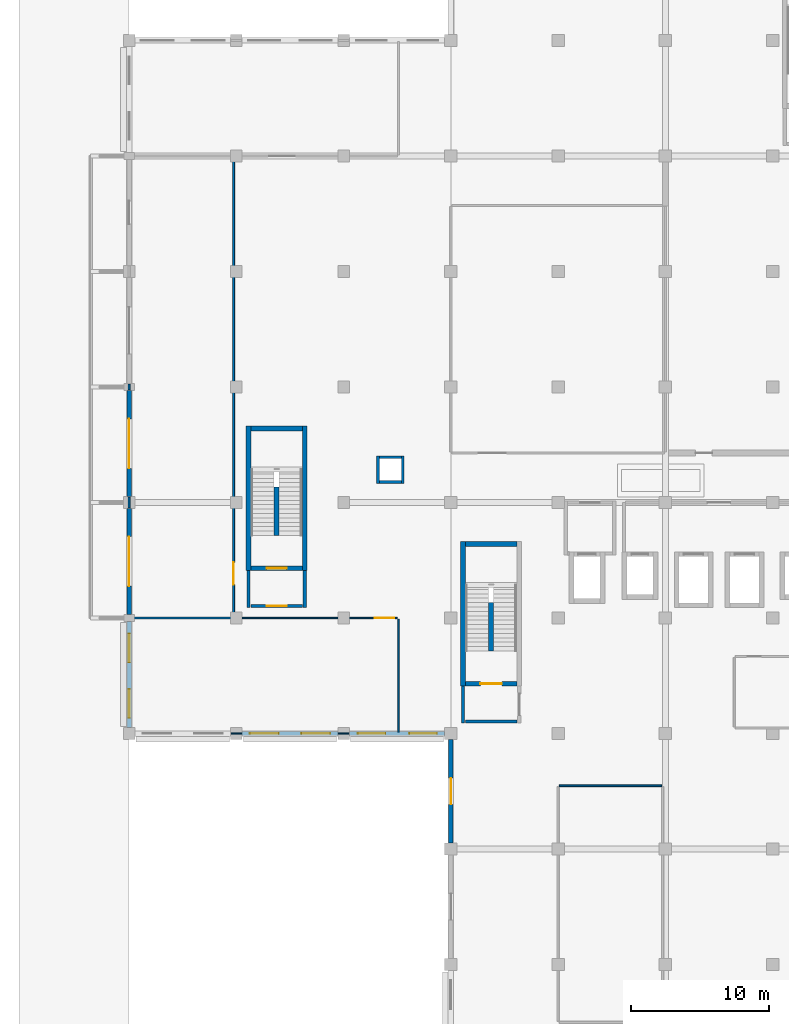
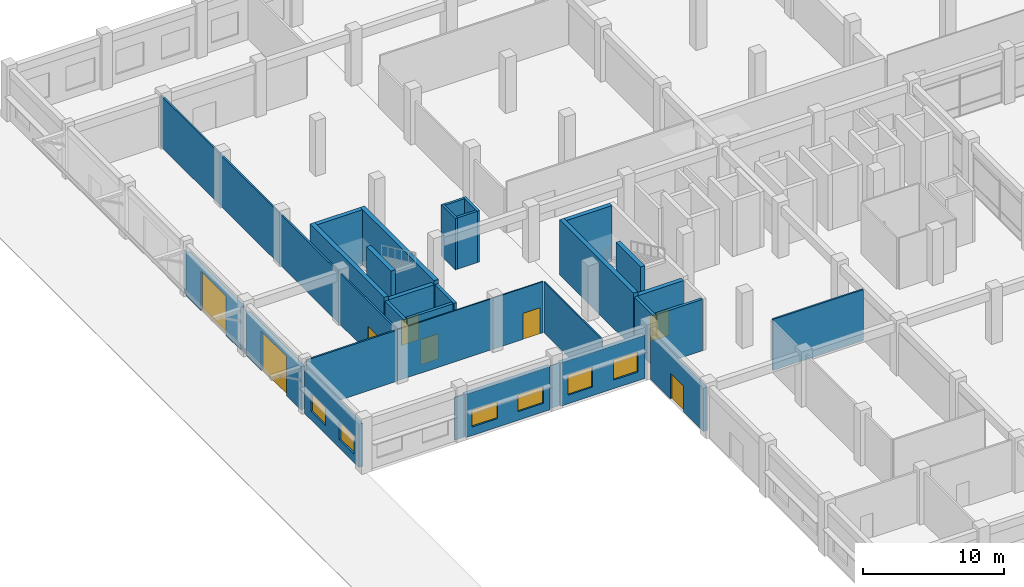
# One storey, part 47 of 74: 33 walls, 8 doors, 6 windows, 14 openings.
"""IFC4 building model written with IfcOpenShell, lengths in metres."""

from ifc_helpers import new_model, si_unit, direction, frame, frame_2d, origin, place, context, subcontext, project, spatial, rectangle, extrude, material, layer, layer_set, type_object, element, fill, save


model = new_model("IFC4")

# Units and contexts
model_context = context("Model", 3, precision=1e-05, world=origin(), true_north=direction((0.0, 1.0)))
body_context = subcontext(model_context, "Body", "Model", "MODEL_VIEW")
ifc_project = project(units=[si_unit("LENGTHUNIT", "METRE"), si_unit("AREAUNIT", "SQUARE_METRE"), si_unit("VOLUMEUNIT", "CUBIC_METRE"), si_unit("PLANEANGLEUNIT", "RADIAN"), si_unit("MASSUNIT", "GRAM", prefix="KILO"), si_unit("THERMODYNAMICTEMPERATUREUNIT", "KELVIN"), si_unit("POWERUNIT", "WATT")], contexts=[model_context])

# Site, building, storey
site_placement = place(None, origin())
site = spatial("IfcSite", under=ifc_project, at=site_placement, CompositionType="ELEMENT")
building_placement = place(site_placement, origin())
building = spatial("IfcBuilding", under=site, at=building_placement, Name="Srebrne Nadtorze General Hospital", CompositionType="ELEMENT")
storey_placement = place(building_placement, origin())
storey = spatial("IfcBuildingStorey", under=building, at=storey_placement, Name="L00", CompositionType="ELEMENT", Elevation=0.0)

# Wall, opening, door
ifc_material_1 = material(Name="Gypsum Healthcare Partition")
ifc_layer_1 = layer(ifc_material_1, 0.139892578125)
ifc_layer_set_1 = layer_set([ifc_layer_1], Name="Gypsum Healthcare Partition")
wall_type_1 = type_object("IfcWallType", Name="Clinical partition 140", PredefinedType="PARTITIONING", material=ifc_layer_set_1)
wall_1_placement = place(storey_placement, frame((7.60009765625, 42.0849609375, 0.0), z_axis=(0.0, 0.0, 1.0), x_axis=(0.0, 1.0, 0.0)))
wall_1 = element("IfcWall", 1, at=wall_1_placement, inside=storey, type_object=wall_type_1, Name="Ambulance Bay wall WL-INT-L00-1299", PredefinedType="PARTITIONING", context=body_context, shape_type="SweptSolid", body=[
    extrude(rectangle(XDim=33.429931640625, YDim=0.139892578125, at=frame_2d((16.71484375, 0.0))), origin(), (0.0, 0.0, 1.0), 4.429931640625),
])
opening_1_placement = place(wall_1_placement, frame((2.335205078125, 0.0, 0.0)))
opening_1 = element("IfcOpeningElement", 2, at=opening_1_placement, cuts=wall_1, Name="Opening D-L00-0191", PredefinedType="OPENING", context=body_context, shape_type="SweptSolid", body=[
    extrude(rectangle(XDim=1.64990234375, YDim=2.25, at=frame_2d((0.824951171875, 1.125))), frame((0.0, 0.08203125, 0.0), z_axis=(0.0, -1.0, 0.0), x_axis=(1.0, 0.0, 0.0)), (0.0, 0.0, 1.0), 0.163818359375),
])
ifc_material_2 = material(Name="Anodised Aluminium", Category="aluminium")
door_type_1 = type_object("IfcDoorType", Name="Double leaf door 1650x2250", OperationType="DOUBLE_DOOR_SINGLE_SWING", PredefinedType="DOOR", material=ifc_material_2)
door_1_placement = place(opening_1_placement, origin())
door_1 = element("IfcDoor", 3, at=door_1_placement, inside=storey, type_object=door_type_1, Name="Ambulance Bay door D-L00-0191", OperationType="DOUBLE_DOOR_SINGLE_SWING", OverallHeight=2.25, OverallWidth=1.64990234375, PredefinedType="DOOR", context=body_context, shape_type="SweptSolid", body=[
    extrude(rectangle(XDim=1.64990234375, YDim=2.25, at=frame_2d((0.824951171875, 1.125))), frame((0.0, 0.02490234375, 0.0), z_axis=(0.0, -1.0, 0.0), x_axis=(1.0, 0.0, 0.0)), (0.0, 0.0, 1.0), 0.050048828125),
])
fill(opening_1, door_1)

# Walls
wall_2_placement = place(storey_placement, frame((0.0849609375, 42.0, 0.0), z_axis=(0.0, 0.0, 1.0), x_axis=(1.0, 0.0, 0.0)))
element("IfcWall", 4, at=wall_2_placement, inside=storey, type_object=wall_type_1, Name="Ambulance Bay wall WL-INT-L00-1300", PredefinedType="PARTITIONING", context=body_context, shape_type="SweptSolid", body=[
    extrude(rectangle(XDim=7.429931640625, YDim=0.139892578125, at=frame_2d((3.71484375, 0.0))), origin(), (0.0, 0.0, 1.0), 4.429931640625),
])
wall_3_placement = place(storey_placement, frame((0.0, 50.014892578125, 0.0), z_axis=(0.0, 0.0, 1.0), x_axis=(0.0, 1.0, 0.0)))
element("IfcWall", 5, at=wall_3_placement, inside=storey, type_object=wall_type_1, Name="Ambulance Bay wall WL-INT-L00-1302", PredefinedType="PARTITIONING", context=body_context, shape_type="SweptSolid", body=[
    extrude(rectangle(XDim=0.77001953125, YDim=0.139892578125, at=frame_2d((0.385009765625, 0.0))), origin(), (0.0, 0.0, 1.0), 3.699951171875),
])
wall_4_placement = place(storey_placement, frame((0.0, 58.590087890625, 0.0), z_axis=(0.0, 0.0, 1.0), x_axis=(0.0, 1.0, 0.0)))
element("IfcWall", 6, at=wall_4_placement, inside=storey, type_object=wall_type_1, Name="Ambulance Bay wall WL-INT-L00-1303", PredefinedType="PARTITIONING", context=body_context, shape_type="SweptSolid", body=[
    extrude(rectangle(XDim=0.419921875, YDim=0.139892578125, at=frame_2d((0.2099609375, 0.0))), origin(), (0.0, 0.0, 1.0), 3.699951171875),
])
wall_5_placement = place(storey_placement, frame((31.284912109375, 29.800048828125, 0.0), z_axis=(0.0, 0.0, 1.0), x_axis=(1.0, 0.0, 0.0)))
element("IfcWall", 7, at=wall_5_placement, inside=storey, type_object=wall_type_1, Name="Chaplaincy and Quiet Reflection Room wall WL-INT-L00-1375", PredefinedType="PARTITIONING", context=body_context, shape_type="SweptSolid", body=[
    extrude(rectangle(XDim=7.43017578125, YDim=0.139892578125, at=frame_2d((3.715087890625, 0.0))), origin(), (0.0, 0.0, 1.0), 4.429931640625),
])
ifc_material_3 = material(Name="Gypsum Healthcare Partition")
ifc_layer_2 = layer(ifc_material_3, 0.199951171875)
ifc_layer_set_2 = layer_set([ifc_layer_2], Name="Gypsum Healthcare Partition")
wall_type_2 = type_object("IfcWallType", Name="Compartment wall 200", PredefinedType="STANDARD", material=ifc_layer_set_2)
for number, where, z_axis, x_axis, name in (
    (8, (18.10009765625, 51.800048828125, 0.0), (0.0, 0.0, 1.0), (0.0, 1.0, 0.0), "MEP riser wall WL-INT-L00-0928"),
    (9, (19.89990234375, 51.800048828125, 0.0), (0.0, 0.0, 1.0), (0.0, 1.0, 0.0), "MEP riser wall WL-INT-L00-0929"),
):
    element("IfcWall", number, at=place(storey_placement, frame(where, z_axis=z_axis, x_axis=x_axis)), inside=storey, type_object=wall_type_2, Name=name, PredefinedType="STANDARD", context=body_context, shape_type="SweptSolid", body=[
        extrude(rectangle(XDim=2.0, YDim=0.199951171875, at=frame_2d((1.0, 0.0))), origin(), (0.0, 0.0, 1.0), 4.449951171875),
    ])
for number, where, z_axis, x_axis, name in (
    (10, (18.199951171875, 51.89990234375, 0.0), (0.0, 0.0, 1.0), (1.0, 0.0, 0.0), "MEP riser wall WL-INT-L00-0930"),
    (11, (18.199951171875, 53.699951171875, 0.0), (0.0, 0.0, 1.0), (1.0, 0.0, 0.0), "MEP riser wall WL-INT-L00-0931"),
):
    element("IfcWall", number, at=place(storey_placement, frame(where, z_axis=z_axis, x_axis=x_axis)), inside=storey, type_object=wall_type_2, Name=name, PredefinedType="STANDARD", context=body_context, shape_type="SweptSolid", body=[
        extrude(rectangle(XDim=1.60009765625, YDim=0.199951171875, at=frame_2d((0.800048828125, 0.0))), origin(), (0.0, 0.0, 1.0), 4.449951171875),
    ])
ifc_material_4 = material(Name="Gypsum Healthcare Partition")
ifc_layer_3 = layer(ifc_material_4, 0.239990234375)
ifc_layer_set_3 = layer_set([ifc_layer_3], Name="Gypsum Healthcare Partition")
wall_type_3 = type_object("IfcWallType", Name="Corridor fire wall 240", PredefinedType="STANDARD", material=ifc_layer_set_3)
wall_6_placement = place(storey_placement, frame((24.27490234375, 34.35498046875, 0.0), z_axis=(0.0, 0.0, 1.0), x_axis=(0.0, 1.0, 0.0)))
element("IfcWall", 12, at=wall_6_placement, inside=storey, type_object=wall_type_3, Name="Fire lobby wall ST-01 WL-INT-L00-0069", PredefinedType="STANDARD", context=body_context, shape_type="SweptSolid", body=[
    extrude(rectangle(XDim=2.695068359375, YDim=0.239990234375, at=frame_2d((1.34765625, 0.0))), origin(), (0.0, 0.0, 1.0), 4.449951171875),
])
wall_7_placement = place(storey_placement, frame((24.449951171875, 34.47509765625, 0.0), z_axis=(0.0, 0.0, 1.0), x_axis=(1.0, 0.0, 0.0)))
element("IfcWall", 13, at=wall_7_placement, inside=storey, type_object=wall_type_3, Name="Fire lobby entry wall ST-01 WL-INT-L00-0071", PredefinedType="STANDARD", context=body_context, shape_type="SweptSolid", body=[
    extrude(rectangle(XDim=3.75, YDim=0.239990234375, at=frame_2d((1.875, 0.0))), origin(), (0.0, 0.0, 1.0), 4.449951171875),
])
for number, where, z_axis, x_axis, name in (
    (14, (8.675048828125, 42.7548828125, 0.0), (0.0, 0.0, 1.0), (0.0, 1.0, 0.0), "Fire lobby wall ST-05 WL-INT-L00-0101"),
    (15, (12.77490234375, 42.7548828125, 0.0), (0.0, 0.0, 1.0), (0.0, 1.0, 0.0), "Fire lobby wall ST-05 WL-INT-L00-0102"),
):
    element("IfcWall", number, at=place(storey_placement, frame(where, z_axis=z_axis, x_axis=x_axis)), inside=storey, type_object=wall_type_3, Name=name, PredefinedType="STANDARD", context=body_context, shape_type="SweptSolid", body=[
        extrude(rectangle(XDim=2.695068359375, YDim=0.239990234375, at=frame_2d((1.34765625, 0.0))), origin(), (0.0, 0.0, 1.0), 4.449951171875),
    ])

# Wall, opening, door
wall_8_placement = place(storey_placement, frame((8.85009765625, 42.875, 0.0), z_axis=(0.0, 0.0, 1.0), x_axis=(1.0, 0.0, 0.0)))
wall_8 = element("IfcWall", 16, at=wall_8_placement, inside=storey, type_object=wall_type_3, Name="Fire lobby entry wall ST-05 WL-INT-L00-0103", PredefinedType="STANDARD", context=body_context, shape_type="SweptSolid", body=[
    extrude(rectangle(XDim=3.75, YDim=0.239990234375, at=frame_2d((1.875, 0.0))), origin(), (0.0, 0.0, 1.0), 4.449951171875),
])
opening_2_placement = place(wall_8_placement, frame((1.14990234375, 0.0, 0.0)))
opening_2 = element("IfcOpeningElement", 17, at=opening_2_placement, cuts=wall_8, Name="Opening D-L00-0026", PredefinedType="OPENING", context=body_context, shape_type="SweptSolid", body=[
    extrude(rectangle(XDim=1.449951171875, YDim=2.199951171875, at=frame_2d((0.72509765625, 1.10009765625))), frame((0.0, 0.1318359375, 0.0), z_axis=(0.0, -1.0, 0.0), x_axis=(1.0, 0.0, 0.0)), (0.0, 0.0, 1.0), 0.263916015625),
])
ifc_material_5 = material(Name="Anodised Aluminium", Category="aluminium")
door_type_2 = type_object("IfcDoorType", Name="Double leaf door 1450x2200", OperationType="DOUBLE_DOOR_SINGLE_SWING", PredefinedType="DOOR", material=ifc_material_5)
door_2_placement = place(opening_2_placement, frame((1.449951171875, 0.0, 0.0), z_axis=(0.0, 0.0, 1.0), x_axis=(-1.0, 0.0, 0.0)))
door_2 = element("IfcDoor", 18, at=door_2_placement, inside=storey, type_object=door_type_2, Name="Fire lobby door ST-05 D-L00-0026", OperationType="DOUBLE_DOOR_SINGLE_SWING", OverallHeight=2.199951171875, OverallWidth=1.449951171875, PredefinedType="DOOR", context=body_context, shape_type="SweptSolid", body=[
    extrude(rectangle(XDim=1.449951171875, YDim=2.199951171875, at=frame_2d((0.72509765625, 1.10009765625))), frame((0.0, 0.02490234375, 0.0), z_axis=(0.0, -1.0, 0.0), x_axis=(1.0, 0.0, 0.0)), (0.0, 0.0, 1.0), 0.050048828125),
])
fill(opening_2, door_2)

ifc_material_6 = material(Name="Gypsum Healthcare Partition")
ifc_layer_4 = layer(ifc_material_6, 0.10009765625)
ifc_layer_set_4 = layer_set([ifc_layer_4], Name="Gypsum Healthcare Partition")
wall_type_4 = type_object("IfcWallType", Name="Shaft lining wall 100", PredefinedType="PARTITIONING", material=ifc_layer_set_4)
wall_9_placement = place(storey_placement, frame((7.554931640625, 42.0, 0.0), z_axis=(0.0, 0.0, 1.0), x_axis=(1.0, 0.0, 0.0)))
wall_9 = element("IfcWall", 19, at=wall_9_placement, inside=storey, type_object=wall_type_4, Name="Emergency Department Triage wall WL-INT-L00-1305", PredefinedType="PARTITIONING", context=body_context, shape_type="SweptSolid", body=[
    extrude(rectangle(XDim=11.9599609375, YDim=0.10009765625, at=frame_2d((5.97998046875, 0.0))), origin(), (0.0, 0.0, 1.0), 4.429931640625),
])
opening_3_placement = place(wall_9_placement, frame((10.31005859375, 0.0, 0.0)))
opening_3 = element("IfcOpeningElement", 20, at=opening_3_placement, cuts=wall_9, Name="Opening D-L00-0192", PredefinedType="OPENING", context=body_context, shape_type="SweptSolid", body=[
    extrude(rectangle(XDim=1.39990234375, YDim=2.25, at=frame_2d((0.699951171875, 1.125))), frame((0.0, 0.06201171875, 0.0), z_axis=(0.0, -1.0, 0.0), x_axis=(1.0, 0.0, 0.0)), (0.0, 0.0, 1.0), 0.1240234375),
])
ifc_material_7 = material(Name="Anodised Aluminium", Category="aluminium")
door_type_3 = type_object("IfcDoorType", Name="Single leaf door 1400x2250", OperationType="NOTDEFINED", PredefinedType="DOOR", material=ifc_material_7)
door_3_placement = place(opening_3_placement, frame((1.39990234375, 0.0, 0.0), z_axis=(0.0, 0.0, 1.0), x_axis=(-1.0, 0.0, 0.0)))
door_3 = element("IfcDoor", 21, at=door_3_placement, inside=storey, type_object=door_type_3, Name="Emergency Department Triage door D-L00-0192", OperationType="SINGLE_SWING_LEFT", OverallHeight=2.25, OverallWidth=1.39990234375, PredefinedType="DOOR", context=body_context, shape_type="SweptSolid", body=[
    extrude(rectangle(XDim=1.39990234375, YDim=2.25, at=frame_2d((0.699951171875, 1.125))), frame((0.0, 0.02490234375, 0.0), z_axis=(0.0, -1.0, 0.0), x_axis=(1.0, 0.0, 0.0)), (0.0, 0.0, 1.0), 0.050048828125),
])
fill(opening_3, door_3)

# Walls
for number, where, z_axis, x_axis, name in (
    (22, (7.4150390625, 33.60009765625, 0.0), (0.0, 0.0, 1.0), (1.0, 0.0, 0.0), "Emergency Department Triage wall WL-INT-L00-1306"),
    (23, (15.215087890625, 33.60009765625, 0.0), (0.0, 0.0, 1.0), (1.0, 0.0, 0.0), "Emergency Department Triage wall WL-INT-L00-1307"),
):
    element("IfcWall", number, at=place(storey_placement, frame(where, z_axis=z_axis, x_axis=x_axis)), inside=storey, type_object=wall_type_4, Name=name, PredefinedType="PARTITIONING", context=body_context, shape_type="SweptSolid", body=[
        extrude(rectangle(XDim=0.77001953125, YDim=0.10009765625, at=frame_2d((0.385009765625, 0.0))), origin(), (0.0, 0.0, 1.0), 3.699951171875),
    ])
wall_10_placement = place(storey_placement, frame((19.60009765625, 33.68505859375, 0.0), z_axis=(0.0, 0.0, 1.0), x_axis=(0.0, 1.0, 0.0)))
element("IfcWall", 24, at=wall_10_placement, inside=storey, type_object=wall_type_4, Name="Emergency Department Triage wall WL-INT-L00-1308", PredefinedType="PARTITIONING", context=body_context, shape_type="SweptSolid", body=[
    extrude(rectangle(XDim=8.22998046875, YDim=0.10009765625, at=frame_2d((4.114990234375, 0.0))), origin(), (0.0, 0.0, 1.0), 4.429931640625),
])
ifc_material_8 = material(Name="Concrete C40/50", Category="concrete")
ifc_layer_5 = layer(ifc_material_8, 0.35009765625)
ifc_layer_set_5 = layer_set([ifc_layer_5], Name="Concrete C40/50")
wall_type_5 = type_object("IfcWallType", Name="Shear core wall 350", PredefinedType="SHEAR", material=ifc_layer_set_5)
wall_11_placement = place(storey_placement, frame((24.27490234375, 37.050048828125, 0.0), z_axis=(0.0, 0.0, 1.0), x_axis=(0.0, 1.0, 0.0)))
element("IfcWall", 25, at=wall_11_placement, inside=storey, type_object=wall_type_5, Name="Stair core wall ST-01 WL-INT-L00-0065", PredefinedType="SHEAR", context=body_context, shape_type="SweptSolid", body=[
    extrude(rectangle(XDim=10.5, YDim=0.35009765625, at=frame_2d((5.25, 0.0))), origin(), (0.0, 0.0, 1.0), 4.800048828125),
])
wall_12_placement = place(storey_placement, frame((24.449951171875, 47.375, 0.0), z_axis=(0.0, 0.0, 1.0), x_axis=(1.0, 0.0, 0.0)))
element("IfcWall", 26, at=wall_12_placement, inside=storey, type_object=wall_type_5, Name="Stair core wall ST-01 WL-INT-L00-0067", PredefinedType="SHEAR", context=body_context, shape_type="SweptSolid", body=[
    extrude(rectangle(XDim=3.75, YDim=0.35009765625, at=frame_2d((1.875, 0.0))), origin(), (0.0, 0.0, 1.0), 4.800048828125),
])

# Wall, opening, door
wall_13_placement = place(storey_placement, frame((24.449951171875, 37.22509765625, 0.0), z_axis=(0.0, 0.0, 1.0), x_axis=(1.0, 0.0, 0.0)))
wall_13 = element("IfcWall", 27, at=wall_13_placement, inside=storey, type_object=wall_type_5, Name="Stairwell fire wall ST-01 WL-INT-L00-0068", PredefinedType="SHEAR", context=body_context, shape_type="SweptSolid", body=[
    extrude(rectangle(XDim=3.75, YDim=0.35009765625, at=frame_2d((1.875, 0.0))), origin(), (0.0, 0.0, 1.0), 4.449951171875),
])
opening_4_placement = place(wall_13_placement, frame((1.10009765625, 0.0, 0.0)))
opening_4 = element("IfcOpeningElement", 28, at=opening_4_placement, cuts=wall_13, Name="Opening D-L00-0017", PredefinedType="OPENING", context=body_context, shape_type="SweptSolid", body=[
    extrude(rectangle(XDim=1.550048828125, YDim=2.25, at=frame_2d((0.77490234375, 1.125))), frame((0.0, 0.18701171875, 0.0), z_axis=(0.0, -1.0, 0.0), x_axis=(1.0, 0.0, 0.0)), (0.0, 0.0, 1.0), 0.3740234375),
])
ifc_material_9 = material(Name="Anodised Aluminium", Category="aluminium")
door_type_4 = type_object("IfcDoorType", Name="Double leaf door 1550x2250", OperationType="DOUBLE_DOOR_SINGLE_SWING", PredefinedType="DOOR", material=ifc_material_9)
door_4_placement = place(opening_4_placement, frame((1.550048828125, 0.0, 0.0), z_axis=(0.0, 0.0, 1.0), x_axis=(-1.0, 0.0, 0.0)))
door_4 = element("IfcDoor", 29, at=door_4_placement, inside=storey, type_object=door_type_4, Name="Protected stair door ST-01 D-L00-0017", OperationType="DOUBLE_DOOR_SINGLE_SWING", OverallHeight=2.25, OverallWidth=1.550048828125, PredefinedType="DOOR", context=body_context, shape_type="SweptSolid", body=[
    extrude(rectangle(XDim=1.550048828125, YDim=2.25, at=frame_2d((0.77490234375, 1.125))), frame((0.0, 0.02490234375, 0.0), z_axis=(0.0, -1.0, 0.0), x_axis=(1.0, 0.0, 0.0)), (0.0, 0.0, 1.0), 0.050048828125),
])
fill(opening_4, door_4)

# Walls
wall_14_placement = place(storey_placement, frame((26.324951171875, 39.60009765625, 0.0), z_axis=(0.0, 0.0, 1.0), x_axis=(0.0, 1.0, 0.0)))
element("IfcWall", 30, at=wall_14_placement, inside=storey, type_object=wall_type_5, Name="Stair spine wall ST-01 WL-INT-L00-0072", PredefinedType="SHEAR", context=body_context, shape_type="SweptSolid", body=[
    extrude(rectangle(XDim=3.52001953125, YDim=0.35009765625, at=frame_2d((1.760009765625, 0.0))), origin(), (0.0, 0.0, 1.0), 4.800048828125),
])
for number, where, z_axis, x_axis, name in (
    (31, (8.675048828125, 45.449951171875, 0.0), (0.0, 0.0, 1.0), (0.0, 1.0, 0.0), "Stair core wall ST-05 WL-INT-L00-0097"),
    (32, (12.77490234375, 45.449951171875, 0.0), (0.0, 0.0, 1.0), (0.0, 1.0, 0.0), "Stair core wall ST-05 WL-INT-L00-0098"),
):
    element("IfcWall", number, at=place(storey_placement, frame(where, z_axis=z_axis, x_axis=x_axis)), inside=storey, type_object=wall_type_5, Name=name, PredefinedType="SHEAR", context=body_context, shape_type="SweptSolid", body=[
        extrude(rectangle(XDim=10.5, YDim=0.35009765625, at=frame_2d((5.25, 0.0))), origin(), (0.0, 0.0, 1.0), 4.800048828125),
    ])
wall_15_placement = place(storey_placement, frame((8.85009765625, 55.77490234375, 0.0), z_axis=(0.0, 0.0, 1.0), x_axis=(1.0, 0.0, 0.0)))
element("IfcWall", 33, at=wall_15_placement, inside=storey, type_object=wall_type_5, Name="Stair core wall ST-05 WL-INT-L00-0099", PredefinedType="SHEAR", context=body_context, shape_type="SweptSolid", body=[
    extrude(rectangle(XDim=3.75, YDim=0.35009765625, at=frame_2d((1.875, 0.0))), origin(), (0.0, 0.0, 1.0), 4.800048828125),
])

# Wall, opening, door
wall_16_placement = place(storey_placement, frame((8.85009765625, 45.625, 0.0), z_axis=(0.0, 0.0, 1.0), x_axis=(1.0, 0.0, 0.0)))
wall_16 = element("IfcWall", 34, at=wall_16_placement, inside=storey, type_object=wall_type_5, Name="Stairwell fire wall ST-05 WL-INT-L00-0100", PredefinedType="SHEAR", context=body_context, shape_type="SweptSolid", body=[
    extrude(rectangle(XDim=3.75, YDim=0.35009765625, at=frame_2d((1.875, 0.0))), origin(), (0.0, 0.0, 1.0), 4.449951171875),
])
opening_5_placement = place(wall_16_placement, frame((1.14990234375, 0.0, 0.0)))
opening_5 = element("IfcOpeningElement", 35, at=opening_5_placement, cuts=wall_16, Name="Opening D-L00-0025", PredefinedType="OPENING", context=body_context, shape_type="SweptSolid", body=[
    extrude(rectangle(XDim=1.449951171875, YDim=2.199951171875, at=frame_2d((0.72509765625, 1.10009765625))), frame((0.0, 0.18701171875, 0.0), z_axis=(0.0, -1.0, 0.0), x_axis=(1.0, 0.0, 0.0)), (0.0, 0.0, 1.0), 0.3740234375),
])
door_5_placement = place(opening_5_placement, frame((1.449951171875, 0.0, 0.0), z_axis=(0.0, 0.0, 1.0), x_axis=(-1.0, 0.0, 0.0)))
door_5 = element("IfcDoor", 36, at=door_5_placement, inside=storey, type_object=door_type_2, Name="Protected stair door ST-05 D-L00-0025", OperationType="DOUBLE_DOOR_SINGLE_SWING", OverallHeight=2.199951171875, OverallWidth=1.449951171875, PredefinedType="DOOR", context=body_context, shape_type="SweptSolid", body=[
    extrude(rectangle(XDim=1.449951171875, YDim=2.199951171875, at=frame_2d((0.72509765625, 1.10009765625))), frame((0.0, 0.02490234375, 0.0), z_axis=(0.0, -1.0, 0.0), x_axis=(1.0, 0.0, 0.0)), (0.0, 0.0, 1.0), 0.050048828125),
])
fill(opening_5, door_5)

# Wall
wall_17_placement = place(storey_placement, frame((10.72509765625, 48.0, 0.0), z_axis=(0.0, 0.0, 1.0), x_axis=(0.0, 1.0, 0.0)))
element("IfcWall", 37, at=wall_17_placement, inside=storey, type_object=wall_type_5, Name="Stair spine wall ST-05 WL-INT-L00-0104", PredefinedType="SHEAR", context=body_context, shape_type="SweptSolid", body=[
    extrude(rectangle(XDim=3.52001953125, YDim=0.35009765625, at=frame_2d((1.760009765625, 0.0))), origin(), (0.0, 0.0, 1.0), 4.800048828125),
])

# Wall, openings, windows
ifc_material_10 = material(Name="Concrete C35/45", Category="concrete")
ifc_layer_6 = layer(ifc_material_10, 0.320068359375)
ifc_layer_set_6 = layer_set([ifc_layer_6], Name="Concrete C35/45")
wall_type_6 = type_object("IfcWallType", Name="Spandrel wall 320", PredefinedType="STANDARD", material=ifc_layer_set_6)
wall_18_placement = place(storey_placement, frame((8.22509765625, 33.60009765625, 0.0), z_axis=(0.0, 0.0, 1.0), x_axis=(1.0, 0.0, 0.0)))
wall_18 = element("IfcWall", 38, at=wall_18_placement, inside=storey, type_object=wall_type_6, Name="Exterior wall WL-ENV-L00-0092", PredefinedType="STANDARD", context=body_context, shape_type="SweptSolid", body=[
    extrude(rectangle(XDim=6.949951171875, YDim=0.320068359375, at=frame_2d((3.47509765625, 0.0))), origin(), (0.0, 0.0, 1.0), 3.75),
])
opening_6_placement = place(wall_18_placement, frame((0.552978515625, 0.0, 0.75)))
opening_6 = element("IfcOpeningElement", 39, at=opening_6_placement, cuts=wall_18, Name="Opening WN-L00-0032", PredefinedType="OPENING", context=body_context, shape_type="SweptSolid", body=[
    extrude(rectangle(XDim=2.10009765625, YDim=1.449951171875, at=frame_2d((1.050048828125, 0.72509765625))), frame((0.0, 0.171875, 0.0), z_axis=(0.0, -1.0, 0.0), x_axis=(1.0, 0.0, 0.0)), (0.0, 0.0, 1.0), 0.343994140625),
])
opening_7_placement = place(wall_18_placement, frame((4.297119140625, 0.0, 0.75)))
opening_7 = element("IfcOpeningElement", 40, at=opening_7_placement, cuts=wall_18, Name="Opening WN-L00-0033", PredefinedType="OPENING", context=body_context, shape_type="SweptSolid", body=[
    extrude(rectangle(XDim=2.10009765625, YDim=1.449951171875, at=frame_2d((1.050048828125, 0.72509765625))), frame((0.0, 0.171875, 0.0), z_axis=(0.0, -1.0, 0.0), x_axis=(1.0, 0.0, 0.0)), (0.0, 0.0, 1.0), 0.343994140625),
])
ifc_material_11 = material(Name="Triple Low-E Glazing", Category="glass")
window_type_1 = type_object("IfcWindowType", Name="Punched clinical window 2100x1450", PartitioningType="DOUBLE_PANEL_VERTICAL", PredefinedType="WINDOW", material=ifc_material_11)
window_1_placement = place(opening_6_placement, origin())
window_1 = element("IfcWindow", 41, at=window_1_placement, inside=storey, type_object=window_type_1, Name="Clinical window WN-L00-0032", OverallHeight=1.449951171875, OverallWidth=2.10009765625, PartitioningType="DOUBLE_PANEL_VERTICAL", PredefinedType="WINDOW", context=body_context, shape_type="SweptSolid", body=[
    extrude(rectangle(XDim=2.10009765625, YDim=1.449951171875, at=frame_2d((1.050048828125, 0.72509765625))), frame((0.0, 0.030029296875, 0.0), z_axis=(0.0, -1.0, 0.0), x_axis=(1.0, 0.0, 0.0)), (0.0, 0.0, 1.0), 0.06005859375),
])
fill(opening_6, window_1)
window_2_placement = place(opening_7_placement, origin())
window_2 = element("IfcWindow", 42, at=window_2_placement, inside=storey, type_object=window_type_1, Name="Clinical window WN-L00-0033", OverallHeight=1.449951171875, OverallWidth=2.10009765625, PartitioningType="DOUBLE_PANEL_VERTICAL", PredefinedType="WINDOW", context=body_context, shape_type="SweptSolid", body=[
    extrude(rectangle(XDim=2.10009765625, YDim=1.449951171875, at=frame_2d((1.050048828125, 0.72509765625))), frame((0.0, 0.030029296875, 0.0), z_axis=(0.0, -1.0, 0.0), x_axis=(1.0, 0.0, 0.0)), (0.0, 0.0, 1.0), 0.06005859375),
])
fill(opening_7, window_2)

wall_19_placement = place(storey_placement, frame((16.02490234375, 33.60009765625, 0.0), z_axis=(0.0, 0.0, 1.0), x_axis=(1.0, 0.0, 0.0)))
wall_19 = element("IfcWall", 43, at=wall_19_placement, inside=storey, type_object=wall_type_6, Name="Exterior wall WL-ENV-L00-0093", PredefinedType="STANDARD", context=body_context, shape_type="SweptSolid", body=[
    extrude(rectangle(XDim=6.925048828125, YDim=0.320068359375, at=frame_2d((3.46240234375, 0.0))), origin(), (0.0, 0.0, 1.0), 3.75),
])
opening_8_placement = place(wall_19_placement, frame((0.60302734375, 0.0, 0.75)))
opening_8 = element("IfcOpeningElement", 44, at=opening_8_placement, cuts=wall_19, Name="Opening WN-L00-0034", PredefinedType="OPENING", context=body_context, shape_type="SweptSolid", body=[
    extrude(rectangle(XDim=2.0, YDim=1.75, at=frame_2d((1.0, 0.875))), frame((0.0, 0.171875, 0.0), z_axis=(0.0, -1.0, 0.0), x_axis=(1.0, 0.0, 0.0)), (0.0, 0.0, 1.0), 0.343994140625),
])
opening_9_placement = place(wall_19_placement, frame((4.346923828125, 0.0, 0.75)))
opening_9 = element("IfcOpeningElement", 45, at=opening_9_placement, cuts=wall_19, Name="Opening WN-L00-0035", PredefinedType="OPENING", context=body_context, shape_type="SweptSolid", body=[
    extrude(rectangle(XDim=2.0, YDim=1.75, at=frame_2d((1.0, 0.875))), frame((0.0, 0.171875, 0.0), z_axis=(0.0, -1.0, 0.0), x_axis=(1.0, 0.0, 0.0)), (0.0, 0.0, 1.0), 0.343994140625),
])
ifc_material_12 = material(Name="Triple Low-E Glazing", Category="glass")
window_type_2 = type_object("IfcWindowType", Name="Punched clinical window 2000x1750", PartitioningType="DOUBLE_PANEL_VERTICAL", PredefinedType="WINDOW", material=ifc_material_12)
window_3_placement = place(opening_8_placement, origin())
window_3 = element("IfcWindow", 46, at=window_3_placement, inside=storey, type_object=window_type_2, Name="Clinical window WN-L00-0034", OverallHeight=1.75, OverallWidth=2.0, PartitioningType="DOUBLE_PANEL_VERTICAL", PredefinedType="WINDOW", context=body_context, shape_type="SweptSolid", body=[
    extrude(rectangle(XDim=2.0, YDim=1.75, at=frame_2d((1.0, 0.875))), frame((0.0, 0.030029296875, 0.0), z_axis=(0.0, -1.0, 0.0), x_axis=(1.0, 0.0, 0.0)), (0.0, 0.0, 1.0), 0.06005859375),
])
fill(opening_8, window_3)
window_4_placement = place(opening_9_placement, origin())
window_4 = element("IfcWindow", 47, at=window_4_placement, inside=storey, type_object=window_type_2, Name="Clinical window WN-L00-0035", OverallHeight=1.75, OverallWidth=2.0, PartitioningType="DOUBLE_PANEL_VERTICAL", PredefinedType="WINDOW", context=body_context, shape_type="SweptSolid", body=[
    extrude(rectangle(XDim=2.0, YDim=1.75, at=frame_2d((1.0, 0.875))), frame((0.0, 0.030029296875, 0.0), z_axis=(0.0, -1.0, 0.0), x_axis=(1.0, 0.0, 0.0)), (0.0, 0.0, 1.0), 0.06005859375),
])
fill(opening_9, window_4)

wall_20_placement = place(storey_placement, frame((0.0, 34.02490234375, 0.0), z_axis=(0.0, 0.0, 1.0), x_axis=(0.0, 1.0, 0.0)))
wall_20 = element("IfcWall", 48, at=wall_20_placement, inside=storey, type_object=wall_type_6, Name="Exterior wall WL-ENV-L00-0119", PredefinedType="STANDARD", context=body_context, shape_type="SweptSolid", body=[
    extrude(rectangle(XDim=7.72509765625, YDim=0.320068359375, at=frame_2d((3.862548828125, 0.0))), origin(), (0.0, 0.0, 1.0), 3.75),
])
opening_10_placement = place(wall_20_placement, frame((0.708984375, 0.0, 0.75)))
opening_10 = element("IfcOpeningElement", 49, at=opening_10_placement, cuts=wall_20, Name="Opening WN-L00-0073", PredefinedType="OPENING", context=body_context, shape_type="SweptSolid", body=[
    extrude(rectangle(XDim=2.10009765625, YDim=1.550048828125, at=frame_2d((1.050048828125, 0.77490234375))), frame((0.0, 0.171875, 0.0), z_axis=(0.0, -1.0, 0.0), x_axis=(1.0, 0.0, 0.0)), (0.0, 0.0, 1.0), 0.343994140625),
])
opening_11_placement = place(wall_20_placement, frame((4.740966796875, 0.0, 0.75)))
opening_11 = element("IfcOpeningElement", 50, at=opening_11_placement, cuts=wall_20, Name="Opening WN-L00-0074", PredefinedType="OPENING", context=body_context, shape_type="SweptSolid", body=[
    extrude(rectangle(XDim=2.10009765625, YDim=1.550048828125, at=frame_2d((1.050048828125, 0.77490234375))), frame((0.0, 0.171875, 0.0), z_axis=(0.0, -1.0, 0.0), x_axis=(1.0, 0.0, 0.0)), (0.0, 0.0, 1.0), 0.343994140625),
])
ifc_material_13 = material(Name="Triple Low-E Glazing", Category="glass")
window_type_3 = type_object("IfcWindowType", Name="Punched clinical window 2100x1550", PartitioningType="DOUBLE_PANEL_VERTICAL", PredefinedType="WINDOW", material=ifc_material_13)
window_5_placement = place(opening_10_placement, origin())
window_5 = element("IfcWindow", 51, at=window_5_placement, inside=storey, type_object=window_type_3, Name="Clinical window WN-L00-0073", OverallHeight=1.550048828125, OverallWidth=2.10009765625, PartitioningType="DOUBLE_PANEL_VERTICAL", PredefinedType="WINDOW", context=body_context, shape_type="SweptSolid", body=[
    extrude(rectangle(XDim=2.10009765625, YDim=1.550048828125, at=frame_2d((1.050048828125, 0.77490234375))), frame((0.0, 0.030029296875, 0.0), z_axis=(0.0, -1.0, 0.0), x_axis=(1.0, 0.0, 0.0)), (0.0, 0.0, 1.0), 0.06005859375),
])
fill(opening_10, window_5)
window_6_placement = place(opening_11_placement, origin())
window_6 = element("IfcWindow", 52, at=window_6_placement, inside=storey, type_object=window_type_3, Name="Clinical window WN-L00-0074", OverallHeight=1.550048828125, OverallWidth=2.10009765625, PartitioningType="DOUBLE_PANEL_VERTICAL", PredefinedType="WINDOW", context=body_context, shape_type="SweptSolid", body=[
    extrude(rectangle(XDim=2.10009765625, YDim=1.550048828125, at=frame_2d((1.050048828125, 0.77490234375))), frame((0.0, 0.030029296875, 0.0), z_axis=(0.0, -1.0, 0.0), x_axis=(1.0, 0.0, 0.0)), (0.0, 0.0, 1.0), 0.06005859375),
])
fill(opening_11, window_6)

# Wall, opening, door
wall_21_placement = place(storey_placement, frame((0.0, 42.25, 0.0), z_axis=(0.0, 0.0, 1.0), x_axis=(0.0, 1.0, 0.0)))
wall_21 = element("IfcWall", 53, at=wall_21_placement, inside=storey, type_object=wall_type_6, Name="Exterior wall WL-ENV-L00-0120", PredefinedType="STANDARD", context=body_context, shape_type="SweptSolid", body=[
    extrude(rectangle(XDim=7.72509765625, YDim=0.320068359375, at=frame_2d((3.862548828125, 0.0))), origin(), (0.0, 0.0, 1.0), 3.75),
])
opening_12_placement = place(wall_21_placement, frame((2.0625, 0.0, 0.0)))
opening_12 = element("IfcOpeningElement", 54, at=opening_12_placement, cuts=wall_21, Name="Opening D-L00-E009", PredefinedType="OPENING", context=body_context, shape_type="SweptSolid", body=[
    extrude(rectangle(XDim=3.60009765625, YDim=3.39990234375, at=frame_2d((1.800048828125, 1.699951171875))), frame((0.0, 0.171875, 0.0), z_axis=(0.0, -1.0, 0.0), x_axis=(1.0, 0.0, 0.0)), (0.0, 0.0, 1.0), 0.343994140625),
])
ifc_material_14 = material(Name="Anodised Aluminium", Category="aluminium")
door_type_5 = type_object("IfcDoorType", Name="Emergency exit gate 3600x3400", OperationType="DOUBLE_DOOR_SINGLE_SWING", PredefinedType="GATE", material=ifc_material_14)
door_6_placement = place(opening_12_placement, origin())
door_6 = element("IfcDoor", 55, at=door_6_placement, inside=storey, type_object=door_type_5, Name="Exterior door D-L00-E009", OperationType="DOUBLE_DOOR_SINGLE_SWING", OverallHeight=3.39990234375, OverallWidth=3.60009765625, PredefinedType="GATE", context=body_context, shape_type="SweptSolid", body=[
    extrude(rectangle(XDim=3.60009765625, YDim=3.39990234375, at=frame_2d((1.800048828125, 1.699951171875))), frame((0.0, 0.02490234375, 0.0), z_axis=(0.0, -1.0, 0.0), x_axis=(1.0, 0.0, 0.0)), (0.0, 0.0, 1.0), 0.050048828125),
])
fill(opening_12, door_6)

wall_22_placement = place(storey_placement, frame((0.0, 50.824951171875, 0.0), z_axis=(0.0, 0.0, 1.0), x_axis=(0.0, 1.0, 0.0)))
wall_22 = element("IfcWall", 56, at=wall_22_placement, inside=storey, type_object=wall_type_6, Name="Exterior wall WL-ENV-L00-0121", PredefinedType="STANDARD", context=body_context, shape_type="SweptSolid", body=[
    extrude(rectangle(XDim=7.72509765625, YDim=0.320068359375, at=frame_2d((3.862548828125, 0.0))), origin(), (0.0, 0.0, 1.0), 3.75),
])
opening_13_placement = place(wall_22_placement, frame((2.0625, 0.0, 0.0)))
opening_13 = element("IfcOpeningElement", 57, at=opening_13_placement, cuts=wall_22, Name="Opening D-L00-E010", PredefinedType="OPENING", context=body_context, shape_type="SweptSolid", body=[
    extrude(rectangle(XDim=3.60009765625, YDim=3.39990234375, at=frame_2d((1.800048828125, 1.699951171875))), frame((0.0, 0.171875, 0.0), z_axis=(0.0, -1.0, 0.0), x_axis=(1.0, 0.0, 0.0)), (0.0, 0.0, 1.0), 0.343994140625),
])
door_7_placement = place(opening_13_placement, origin())
door_7 = element("IfcDoor", 58, at=door_7_placement, inside=storey, type_object=door_type_5, Name="Exterior door D-L00-E010", OperationType="DOUBLE_DOOR_SINGLE_SWING", OverallHeight=3.39990234375, OverallWidth=3.60009765625, PredefinedType="GATE", context=body_context, shape_type="SweptSolid", body=[
    extrude(rectangle(XDim=3.60009765625, YDim=3.39990234375, at=frame_2d((1.800048828125, 1.699951171875))), frame((0.0, 0.02490234375, 0.0), z_axis=(0.0, -1.0, 0.0), x_axis=(1.0, 0.0, 0.0)), (0.0, 0.0, 1.0), 0.050048828125),
])
fill(opening_13, door_7)

wall_23_placement = place(storey_placement, frame((23.39990234375, 25.64990234375, 0.0), z_axis=(0.0, 0.0, 1.0), x_axis=(0.0, 1.0, 0.0)))
wall_23 = element("IfcWall", 59, at=wall_23_placement, inside=storey, type_object=wall_type_6, Name="Exterior wall WL-ENV-L00-0128", PredefinedType="STANDARD", context=body_context, shape_type="SweptSolid", body=[
    extrude(rectangle(XDim=7.5, YDim=0.320068359375, at=frame_2d((3.75, 0.0))), origin(), (0.0, 0.0, 1.0), 3.75),
])
opening_14_placement = place(wall_23_placement, frame((2.800048828125, 0.0, 0.0)))
opening_14 = element("IfcOpeningElement", 60, at=opening_14_placement, cuts=wall_23, Name="Opening D-L00-E014", PredefinedType="OPENING", context=body_context, shape_type="SweptSolid", body=[
    extrude(rectangle(XDim=1.89990234375, YDim=2.25, at=frame_2d((0.949951171875, 1.125))), frame((0.0, 0.171875, 0.0), z_axis=(0.0, -1.0, 0.0), x_axis=(1.0, 0.0, 0.0)), (0.0, 0.0, 1.0), 0.343994140625),
])
ifc_material_15 = material(Name="Anodised Aluminium", Category="aluminium")
door_type_6 = type_object("IfcDoorType", Name="Double leaf door 1900x2250", OperationType="DOUBLE_DOOR_SINGLE_SWING", PredefinedType="DOOR", material=ifc_material_15)
door_8_placement = place(opening_14_placement, origin())
door_8 = element("IfcDoor", 61, at=door_8_placement, inside=storey, type_object=door_type_6, Name="Exterior door D-L00-E014", OperationType="DOUBLE_DOOR_SINGLE_SWING", OverallHeight=2.25, OverallWidth=1.89990234375, PredefinedType="DOOR", context=body_context, shape_type="SweptSolid", body=[
    extrude(rectangle(XDim=1.89990234375, YDim=2.25, at=frame_2d((0.949951171875, 1.125))), frame((0.0, 0.02490234375, 0.0), z_axis=(0.0, -1.0, 0.0), x_axis=(1.0, 0.0, 0.0)), (0.0, 0.0, 1.0), 0.050048828125),
])
fill(opening_14, door_8)

save(model, "model.ifc")
